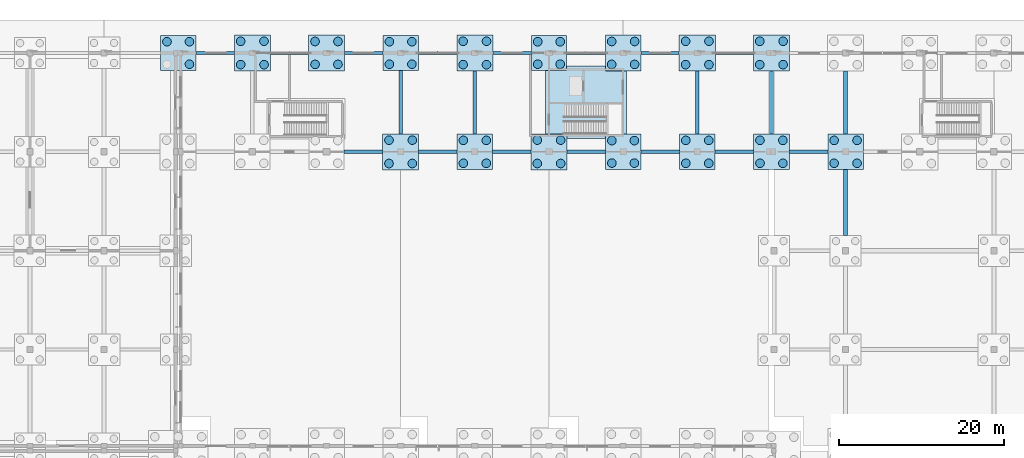
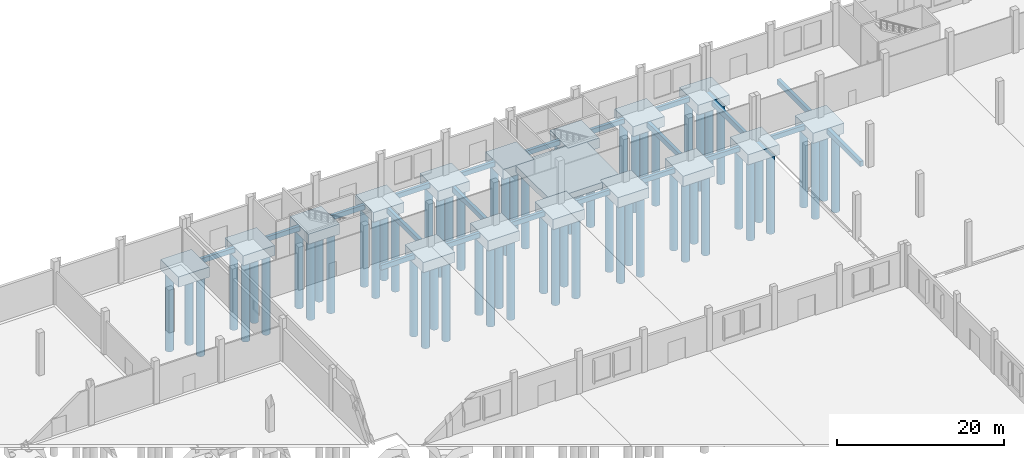
# One storey, part 22 of 99: 63 piles, 38 footings.
"""IFC4 building model written with IfcOpenShell, lengths in metres."""

from ifc_helpers import new_model, si_unit, direction, frame, origin, origin_2d, place, context, subcontext, project, spatial, polyline, rectangle, circle, outline, extrude, material, layer, layer_set, material_profile, profile_set, type_object, element, save


model = new_model("IFC4")

# Units and contexts
model_context = context("Model", 3, precision=1e-05, world=origin(), true_north=direction((0.0, 1.0)))
body_context = subcontext(model_context, "Body", "Model", "MODEL_VIEW")
ifc_project = project(units=[si_unit("LENGTHUNIT", "METRE"), si_unit("AREAUNIT", "SQUARE_METRE"), si_unit("VOLUMEUNIT", "CUBIC_METRE"), si_unit("PLANEANGLEUNIT", "RADIAN"), si_unit("MASSUNIT", "GRAM", prefix="KILO")], contexts=[model_context])

# Site, building, storey
site_placement = place(None, origin())
site = spatial("IfcSite", under=ifc_project, at=site_placement, CompositionType="ELEMENT")
building_placement = place(site_placement, origin())
building = spatial("IfcBuilding", under=site, at=building_placement, Name="Zacnel Wholesale Market", CompositionType="ELEMENT")
storey_placement = place(building_placement, origin())
storey = spatial("IfcBuildingStorey", under=building, at=storey_placement, Name="L01", CompositionType="ELEMENT", Elevation=0.0)

# Footings
ifc_material_1 = material(Name="Concrete C35/45", Category="concrete")
ifc_layer_1 = layer(ifc_material_1, 0.949951171875)
ifc_layer_set_1 = layer_set([ifc_layer_1], Name="Concrete C35/45")
footing_type_1 = type_object("IfcFootingType", Name="FTG-CORE-MAT-9500X8700", PredefinedType="PAD_FOOTING", material=ifc_layer_set_1)
footing_1_placement = place(storey_placement, frame((0.0, 0.0, -1.449951171875)))
element("IfcFooting", 1, at=footing_1_placement, inside=storey, type_object=footing_type_1, Name="Core C6 mat foundation", PredefinedType="PAD_FOOTING", context=body_context, shape_type="SweptSolid", body=[
    extrude(outline(polyline([(123.860107421875, 134.14111328125), (123.85986328125, 134.14111328125), (123.85986328125, 134.14111328125), (123.859619140625, 134.14111328125), (123.859619140625, 134.140869140625), (123.859619140625, 134.140869140625), (123.859375, 134.140869140625), (123.859375, 134.140869140625), (123.859375, 134.140625), (123.859130859375, 134.140625), (123.859130859375, 134.140625), (123.859130859375, 134.140380859375), (123.859130859375, 134.140380859375), (123.85888671875, 134.140380859375), (123.85888671875, 134.14013671875), (123.85888671875, 134.14013671875), (123.85888671875, 134.139892578125), (123.85888671875, 133.60009765625), (119.19091796875, 133.60009765625), (119.19091796875, 134.18994140625), (119.19091796875, 134.190185546875), (119.19091796875, 134.190185546875), (119.19091796875, 134.190185546875), (119.19091796875, 134.1904296875), (119.19091796875, 134.1904296875), (119.19091796875, 134.190673828125), (119.19091796875, 134.190673828125), (119.190673828125, 134.190673828125), (119.190673828125, 134.19091796875), (119.190673828125, 134.19091796875), (119.1904296875, 134.19091796875), (119.1904296875, 134.19091796875), (119.190185546875, 134.19091796875), (119.190185546875, 134.19091796875), (119.190185546875, 134.19091796875), (119.18994140625, 134.19091796875), (116.60009765625, 134.19091796875), (116.60009765625, 141.85888671875), (119.139892578125, 141.85888671875), (119.14013671875, 141.85888671875), (119.14013671875, 141.85888671875), (119.140380859375, 141.85888671875), (119.140380859375, 141.859130859375), (119.140380859375, 141.859130859375), (119.140625, 141.859130859375), (119.140625, 141.859130859375), (119.140625, 141.859375), (119.140869140625, 141.859375), (119.140869140625, 141.859375), (119.140869140625, 141.859619140625), (119.140869140625, 141.859619140625), (119.14111328125, 141.859619140625), (119.14111328125, 141.85986328125), (119.14111328125, 141.85986328125), (119.14111328125, 141.860107421875), (119.14111328125, 142.39990234375), (123.833984375, 142.39990234375), (123.833984375, 141.8349609375), (123.833984375, 141.8349609375), (123.833984375, 141.834716796875), (123.833984375, 141.834716796875), (123.833984375, 141.834716796875), (123.833984375, 141.83447265625), (123.834228515625, 141.83447265625), (123.834228515625, 141.83447265625), (123.834228515625, 141.834228515625), (123.83447265625, 141.834228515625), (123.83447265625, 141.834228515625), (123.83447265625, 141.833984375), (123.834716796875, 141.833984375), (123.834716796875, 141.833984375), (123.834716796875, 141.833984375), (123.8349609375, 141.833984375), (123.8349609375, 141.833984375), (126.39990234375, 141.833984375), (126.39990234375, 134.14111328125), (123.860107421875, 134.14111328125)])), origin(), (0.0, 0.0, 1.0), 0.949951171875),
])
ifc_material_2 = material(Name="Concrete C35/45", Category="concrete")
ifc_material_profile_1 = material_profile(ifc_material_2, rectangle(XDim=0.39990234375, YDim=0.699951171875, at=origin_2d()), Name="CT 400x700")
ifc_profile_set_1 = profile_set([ifc_material_profile_1], Name="Concrete C35/45")
footing_type_2 = type_object("IfcFootingType", Name="FTG-CT400X700", PredefinedType="FOOTING_BEAM", material=ifc_profile_set_1)
footing_2_placement = place(storey_placement, frame((92.139892578125, 132.0, -0.85009765625), z_axis=(1.0, 0.0, 0.0), x_axis=(0.0, 1.0, 0.0)))
element("IfcFooting", 2, at=footing_2_placement, inside=storey, type_object=footing_type_2, Name="Ground tie beam CT-X-0482", PredefinedType="FOOTING_BEAM", context=body_context, shape_type="SweptSolid", body=[
    extrude(rectangle(XDim=0.39990234375, YDim=0.699951171875, at=origin_2d()), origin(), (0.0, 0.0, 1.0), 4.670166015625),
])
for number, where, z_axis, x_axis, name in (
    (3, (101.18994140625, 132.0, -0.85009765625), (1.0, 0.0, 0.0), (0.0, 1.0, 0.0), "Ground tie beam CT-X-0483"),
    (4, (110.1650390625, 132.0, -0.85009765625), (1.0, 0.0, 0.0), (0.0, 1.0, 0.0), "Ground tie beam CT-X-0484"),
):
    element("IfcFooting", number, at=place(storey_placement, frame(where, z_axis=z_axis, x_axis=x_axis)), inside=storey, type_object=footing_type_2, Name=name, PredefinedType="FOOTING_BEAM", context=body_context, shape_type="SweptSolid", body=[
        extrude(rectangle(XDim=0.39990234375, YDim=0.699951171875, at=origin_2d()), origin(), (0.0, 0.0, 1.0), 4.64501953125),
    ])
footing_3_placement = place(storey_placement, frame((119.18994140625, 132.0, -0.85009765625), z_axis=(1.0, 0.0, 0.0), x_axis=(0.0, 1.0, 0.0)))
element("IfcFooting", 5, at=footing_3_placement, inside=storey, type_object=footing_type_2, Name="Ground tie beam CT-X-0485", PredefinedType="FOOTING_BEAM", context=body_context, shape_type="SweptSolid", body=[
    extrude(rectangle(XDim=0.39990234375, YDim=0.699951171875, at=origin_2d()), origin(), (0.0, 0.0, 1.0), 4.670166015625),
])
footing_4_placement = place(storey_placement, frame((128.139892578125, 132.0, -0.85009765625), z_axis=(1.0, 0.0, 0.0), x_axis=(0.0, 1.0, 0.0)))
element("IfcFooting", 6, at=footing_4_placement, inside=storey, type_object=footing_type_2, Name="Ground tie beam CT-X-0486", PredefinedType="FOOTING_BEAM", context=body_context, shape_type="SweptSolid", body=[
    extrude(rectangle(XDim=0.39990234375, YDim=0.699951171875, at=origin_2d()), origin(), (0.0, 0.0, 1.0), 4.695068359375),
])
for number, where, z_axis, x_axis, name in (
    (7, (137.1650390625, 132.0, -0.85009765625), (1.0, 0.0, 0.0), (0.0, 1.0, 0.0), "Ground tie beam CT-X-0487"),
    (8, (146.1650390625, 132.0, -0.85009765625), (1.0, 0.0, 0.0), (0.0, 1.0, 0.0), "Ground tie beam CT-X-0488"),
):
    element("IfcFooting", number, at=place(storey_placement, frame(where, z_axis=z_axis, x_axis=x_axis)), inside=storey, type_object=footing_type_2, Name=name, PredefinedType="FOOTING_BEAM", context=body_context, shape_type="SweptSolid", body=[
        extrude(rectangle(XDim=0.39990234375, YDim=0.699951171875, at=origin_2d()), origin(), (0.0, 0.0, 1.0), 4.669921875),
    ])
footing_5_placement = place(storey_placement, frame((74.139892578125, 144.0, -0.85009765625), z_axis=(1.0, 0.0, 0.0), x_axis=(0.0, 1.0, 0.0)))
element("IfcFooting", 9, at=footing_5_placement, inside=storey, type_object=footing_type_2, Name="Ground tie beam CT-X-0501", PredefinedType="FOOTING_BEAM", context=body_context, shape_type="SweptSolid", body=[
    extrude(rectangle(XDim=0.39990234375, YDim=0.699951171875, at=origin_2d()), origin(), (0.0, 0.0, 1.0), 4.670166015625),
])
footing_6_placement = place(storey_placement, frame((83.18994140625, 144.0, -0.85009765625), z_axis=(1.0, 0.0, 0.0), x_axis=(0.0, 1.0, 0.0)))
element("IfcFooting", 10, at=footing_6_placement, inside=storey, type_object=footing_type_2, Name="Ground tie beam CT-X-0502", PredefinedType="FOOTING_BEAM", context=body_context, shape_type="SweptSolid", body=[
    extrude(rectangle(XDim=0.39990234375, YDim=0.699951171875, at=origin_2d()), origin(), (0.0, 0.0, 1.0), 4.64501953125),
])
footing_7_placement = place(storey_placement, frame((92.1650390625, 144.0, -0.85009765625), z_axis=(1.0, 0.0, 0.0), x_axis=(0.0, 1.0, 0.0)))
element("IfcFooting", 11, at=footing_7_placement, inside=storey, type_object=footing_type_2, Name="Ground tie beam CT-X-0503", PredefinedType="FOOTING_BEAM", context=body_context, shape_type="SweptSolid", body=[
    extrude(rectangle(XDim=0.39990234375, YDim=0.699951171875, at=origin_2d()), origin(), (0.0, 0.0, 1.0), 4.695068359375),
])
for number, where, z_axis, x_axis, name in (
    (12, (101.139892578125, 144.0, -0.85009765625), (1.0, 0.0, 0.0), (0.0, 1.0, 0.0), "Ground tie beam CT-X-0504"),
    (13, (110.18994140625, 144.0, -0.85009765625), (1.0, 0.0, 0.0), (0.0, 1.0, 0.0), "Ground tie beam CT-X-0505"),
):
    element("IfcFooting", number, at=place(storey_placement, frame(where, z_axis=z_axis, x_axis=x_axis)), inside=storey, type_object=footing_type_2, Name=name, PredefinedType="FOOTING_BEAM", context=body_context, shape_type="SweptSolid", body=[
        extrude(rectangle(XDim=0.39990234375, YDim=0.699951171875, at=origin_2d()), origin(), (0.0, 0.0, 1.0), 4.670166015625),
    ])
footing_8_placement = place(storey_placement, frame((119.139892578125, 144.0, -0.85009765625), z_axis=(1.0, 0.0, 0.0), x_axis=(0.0, 1.0, 0.0)))
element("IfcFooting", 14, at=footing_8_placement, inside=storey, type_object=footing_type_2, Name="Ground tie beam CT-X-0506", PredefinedType="FOOTING_BEAM", context=body_context, shape_type="SweptSolid", body=[
    extrude(rectangle(XDim=0.39990234375, YDim=0.699951171875, at=origin_2d()), origin(), (0.0, 0.0, 1.0), 4.695068359375),
])
footing_9_placement = place(storey_placement, frame((128.1650390625, 144.0, -0.85009765625), z_axis=(1.0, 0.0, 0.0), x_axis=(0.0, 1.0, 0.0)))
element("IfcFooting", 15, at=footing_9_placement, inside=storey, type_object=footing_type_2, Name="Ground tie beam CT-X-0507", PredefinedType="FOOTING_BEAM", context=body_context, shape_type="SweptSolid", body=[
    extrude(rectangle(XDim=0.39990234375, YDim=0.699951171875, at=origin_2d()), origin(), (0.0, 0.0, 1.0), 4.64501953125),
])
footing_10_placement = place(storey_placement, frame((137.18994140625, 144.0, -0.85009765625), z_axis=(1.0, 0.0, 0.0), x_axis=(0.0, 1.0, 0.0)))
element("IfcFooting", 16, at=footing_10_placement, inside=storey, type_object=footing_type_2, Name="Ground tie beam CT-X-0508", PredefinedType="FOOTING_BEAM", context=body_context, shape_type="SweptSolid", body=[
    extrude(rectangle(XDim=0.39990234375, YDim=0.699951171875, at=origin_2d()), origin(), (0.0, 0.0, 1.0), 4.6201171875),
])
ifc_material_3 = material(Name="Concrete C35/45", Category="concrete")
ifc_material_profile_2 = material_profile(ifc_material_3, rectangle(XDim=0.449951171875, YDim=0.75, at=origin_2d()), Name="CT 450x750")
ifc_profile_set_2 = profile_set([ifc_material_profile_2], Name="Concrete C35/45")
footing_type_3 = type_object("IfcFootingType", Name="FTG-CT450X750", PredefinedType="FOOTING_BEAM", material=ifc_profile_set_2)
footing_11_placement = place(storey_placement, frame((99.0, 134.18994140625, -0.875), z_axis=(0.0, 1.0, 0.0), x_axis=(-1.0, 0.0, 0.0)))
element("IfcFooting", 17, at=footing_11_placement, inside=storey, type_object=footing_type_3, Name="Ground tie beam CT-Y-0121", PredefinedType="FOOTING_BEAM", context=body_context, shape_type="SweptSolid", body=[
    extrude(rectangle(XDim=0.449951171875, YDim=0.75, at=origin_2d()), origin(), (0.0, 0.0, 1.0), 7.670166015625),
])
for number, where, z_axis, x_axis, name in (
    (18, (108.0, 134.1650390625, -0.875), (0.0, 1.0, 0.0), (-1.0, 0.0, 0.0), "Ground tie beam CT-Y-0125"),
    (19, (135.0, 134.1650390625, -0.875), (0.0, 1.0, 0.0), (-1.0, 0.0, 0.0), "Ground tie beam CT-Y-0142"),
    (20, (144.0, 134.1650390625, -0.875), (0.0, 1.0, 0.0), (-1.0, 0.0, 0.0), "Ground tie beam CT-Y-0145"),
):
    element("IfcFooting", number, at=place(storey_placement, frame(where, z_axis=z_axis, x_axis=x_axis)), inside=storey, type_object=footing_type_3, Name=name, PredefinedType="FOOTING_BEAM", context=body_context, shape_type="SweptSolid", body=[
        extrude(rectangle(XDim=0.449951171875, YDim=0.75, at=origin_2d()), origin(), (0.0, 0.0, 1.0), 7.64501953125),
    ])
footing_12_placement = place(storey_placement, frame((153.0, 121.8701171875, -0.875), z_axis=(0.0, 1.0, 0.0), x_axis=(-1.0, 0.0, 0.0)))
element("IfcFooting", 21, at=footing_12_placement, inside=storey, type_object=footing_type_3, Name="Ground tie beam CT-Y-0162", PredefinedType="FOOTING_BEAM", context=body_context, shape_type="SweptSolid", body=[
    extrude(rectangle(XDim=0.449951171875, YDim=0.75, at=origin_2d()), origin(), (0.0, 0.0, 1.0), 7.96484375),
])
footing_13_placement = place(storey_placement, frame((153.0, 134.1650390625, -0.875), z_axis=(0.0, 1.0, 0.0), x_axis=(-1.0, 0.0, 0.0)))
element("IfcFooting", 22, at=footing_13_placement, inside=storey, type_object=footing_type_3, Name="Ground tie beam CT-Y-0163", PredefinedType="FOOTING_BEAM", context=body_context, shape_type="SweptSolid", body=[
    extrude(rectangle(XDim=0.449951171875, YDim=0.75, at=origin_2d()), origin(), (0.0, 0.0, 1.0), 7.64501953125),
])
ifc_material_4 = material(Name="Concrete C35/45", Category="concrete")
ifc_layer_2 = layer(ifc_material_4, 1.449951171875)
ifc_layer_set_2 = layer_set([ifc_layer_2], Name="Concrete C35/45")
footing_type_4 = type_object("IfcFootingType", Name="FTG-PC-4280X4280X1450", PredefinedType="PILE_CAP", material=ifc_layer_set_2)
for number, where, z_axis, x_axis, name in (
    (23, (99.0, 144.0, -1.9501953125), (0.0, 0.0, 1.0), (1.0, 0.0, 0.0), "Pile cap PC-16 (STR-PC-159)"),
    (24, (117.0, 144.0, -1.9501953125), (0.0, 0.0, 1.0), (1.0, 0.0, 0.0), "Pile cap PC-16 (STR-PC-177)"),
):
    element("IfcFooting", number, at=place(storey_placement, frame(where, z_axis=z_axis, x_axis=x_axis)), inside=storey, type_object=footing_type_4, Name=name, PredefinedType="PILE_CAP", context=body_context, shape_type="SweptSolid", body=[
        extrude(rectangle(XDim=4.280029296875, YDim=4.280029296875, at=origin_2d()), origin(), (0.0, 0.0, 1.0), 1.449951171875),
    ])
ifc_material_5 = material(Name="Concrete C35/45", Category="concrete")
ifc_layer_3 = layer(ifc_material_5, 1.5)
ifc_layer_set_3 = layer_set([ifc_layer_3], Name="Concrete C35/45")
footing_type_5 = type_object("IfcFootingType", Name="FTG-PC-4280X4280X1500", PredefinedType="PILE_CAP", material=ifc_layer_set_3)
for number, where, z_axis, x_axis, name in (
    (25, (72.0, 144.0, -2.0), (0.0, 0.0, 1.0), (1.0, 0.0, 0.0), "Pile cap PC-15 (STR-PC-126)"),
    (26, (126.0, 132.0, -2.0), (0.0, 0.0, 1.0), (1.0, 0.0, 0.0), "Pile cap PC-15 (STR-PC-186)"),
):
    element("IfcFooting", number, at=place(storey_placement, frame(where, z_axis=z_axis, x_axis=x_axis)), inside=storey, type_object=footing_type_5, Name=name, PredefinedType="PILE_CAP", context=body_context, shape_type="SweptSolid", body=[
        extrude(rectangle(XDim=4.280029296875, YDim=4.280029296875, at=origin_2d()), origin(), (0.0, 0.0, 1.0), 1.5),
    ])
ifc_material_6 = material(Name="Concrete C35/45", Category="concrete")
ifc_layer_4 = layer(ifc_material_6, 1.449951171875)
ifc_layer_set_4 = layer_set([ifc_layer_4], Name="Concrete C35/45")
footing_type_6 = type_object("IfcFootingType", Name="FTG-PC-4330X4330X1450", PredefinedType="PILE_CAP", material=ifc_layer_set_4)
footing_14_placement = place(storey_placement, frame((126.0, 144.0, -1.9501953125), z_axis=(0.0, 0.0, 1.0), x_axis=(1.0, 0.0, 0.0)))
element("IfcFooting", 27, at=footing_14_placement, inside=storey, type_object=footing_type_6, Name="Pile cap PC-19 (STR-PC-187)", PredefinedType="PILE_CAP", context=body_context, shape_type="SweptSolid", body=[
    extrude(rectangle(XDim=4.330078125, YDim=4.330078125, at=origin_2d()), origin(), (0.0, 0.0, 1.0), 1.449951171875),
])
ifc_material_7 = material(Name="Concrete C35/45", Category="concrete")
ifc_layer_5 = layer(ifc_material_7, 1.5)
ifc_layer_set_5 = layer_set([ifc_layer_5], Name="Concrete C35/45")
footing_type_7 = type_object("IfcFootingType", Name="FTG-PC-4330X4330X1500", PredefinedType="PILE_CAP", material=ifc_layer_set_5)
for number, where, z_axis, x_axis, name in (
    (28, (90.0, 144.0, -2.0), (0.0, 0.0, 1.0), (1.0, 0.0, 0.0), "Pile cap PC-17 (STR-PC-148)"),
    (29, (108.0, 132.0, -2.0), (0.0, 0.0, 1.0), (1.0, 0.0, 0.0), "Pile cap PC-17 (STR-PC-166)"),
    (30, (135.0, 132.0, -2.0), (0.0, 0.0, 1.0), (1.0, 0.0, 0.0), "Pile cap PC-17 (STR-PC-196)"),
    (31, (144.0, 132.0, -2.0), (0.0, 0.0, 1.0), (1.0, 0.0, 0.0), "Pile cap PC-17 (STR-PC-202)"),
    (32, (153.0, 132.0, -2.0), (0.0, 0.0, 1.0), (1.0, 0.0, 0.0), "Pile cap PC-17 (STR-PC-220)"),
):
    element("IfcFooting", number, at=place(storey_placement, frame(where, z_axis=z_axis, x_axis=x_axis)), inside=storey, type_object=footing_type_7, Name=name, PredefinedType="PILE_CAP", context=body_context, shape_type="SweptSolid", body=[
        extrude(rectangle(XDim=4.330078125, YDim=4.330078125, at=origin_2d()), origin(), (0.0, 0.0, 1.0), 1.5),
    ])
ifc_material_8 = material(Name="Concrete C35/45", Category="concrete")
ifc_layer_6 = layer(ifc_material_8, 1.449951171875)
ifc_layer_set_6 = layer_set([ifc_layer_6], Name="Concrete C35/45")
footing_type_8 = type_object("IfcFootingType", Name="FTG-PC-4380X4380X1450", PredefinedType="PILE_CAP", material=ifc_layer_set_6)
for number, where, z_axis, x_axis, name in (
    (33, (81.0, 144.0, -1.9501953125), (0.0, 0.0, 1.0), (1.0, 0.0, 0.0), "Pile cap PC-14 (STR-PC-137)"),
    (34, (108.0, 144.0, -1.9501953125), (0.0, 0.0, 1.0), (1.0, 0.0, 0.0), "Pile cap PC-14 (STR-PC-167)"),
    (35, (135.0, 144.0, -1.9501953125), (0.0, 0.0, 1.0), (1.0, 0.0, 0.0), "Pile cap PC-14 (STR-PC-197)"),
    (36, (144.0, 144.0, -1.9501953125), (0.0, 0.0, 1.0), (1.0, 0.0, 0.0), "Pile cap PC-14 (STR-PC-203)"),
):
    element("IfcFooting", number, at=place(storey_placement, frame(where, z_axis=z_axis, x_axis=x_axis)), inside=storey, type_object=footing_type_8, Name=name, PredefinedType="PILE_CAP", context=body_context, shape_type="SweptSolid", body=[
        extrude(rectangle(XDim=4.3798828125, YDim=4.3798828125, at=origin_2d()), origin(), (0.0, 0.0, 1.0), 1.449951171875),
    ])
ifc_material_9 = material(Name="Concrete C35/45", Category="concrete")
ifc_layer_7 = layer(ifc_material_9, 1.5)
ifc_layer_set_7 = layer_set([ifc_layer_7], Name="Concrete C35/45")
footing_type_9 = type_object("IfcFootingType", Name="FTG-PC-4380X4380X1500", PredefinedType="PILE_CAP", material=ifc_layer_set_7)
for number, where, z_axis, x_axis, name in (
    (37, (99.0, 132.0, -2.0), (0.0, 0.0, 1.0), (1.0, 0.0, 0.0), "Pile cap PC-18 (STR-PC-158)"),
    (38, (117.0, 132.0, -2.0), (0.0, 0.0, 1.0), (1.0, 0.0, 0.0), "Pile cap PC-18 (STR-PC-176)"),
):
    element("IfcFooting", number, at=place(storey_placement, frame(where, z_axis=z_axis, x_axis=x_axis)), inside=storey, type_object=footing_type_9, Name=name, PredefinedType="PILE_CAP", context=body_context, shape_type="SweptSolid", body=[
        extrude(rectangle(XDim=4.3798828125, YDim=4.3798828125, at=origin_2d()), origin(), (0.0, 0.0, 1.0), 1.5),
    ])

# Piles
ifc_material_10 = material(Name="Concrete C35/45", Category="concrete")
ifc_material_profile_3 = material_profile(ifc_material_10, circle(Radius=0.52490234375, at=origin_2d()), Name="BORED PILE D1050")
ifc_profile_set_3 = profile_set([ifc_material_profile_3], Name="Concrete C35/45")
pile_type = type_object("IfcPileType", Name="PILE-BORED-1050", PredefinedType="BORED", material=ifc_profile_set_3)
for number, where, z_axis, x_axis, name in (
    (39, (70.635009765625, 145.364990234375, -1.89990234375), (0.0, 0.0, -1.0), (1.0, 0.0, 0.0), "Bored pile STR-PILE-126-02"),
    (40, (73.364990234375, 142.635009765625, -1.89990234375), (0.0, 0.0, -1.0), (1.0, 0.0, 0.0), "Bored pile STR-PILE-126-03"),
    (41, (73.364990234375, 145.364990234375, -1.89990234375), (0.0, 0.0, -1.0), (1.0, 0.0, 0.0), "Bored pile STR-PILE-126-04"),
):
    element("IfcPile", number, at=place(storey_placement, frame(where, z_axis=z_axis, x_axis=x_axis)), inside=storey, type_object=pile_type, Name=name, PredefinedType="BORED", context=body_context, shape_type="SweptSolid", body=[
        extrude(circle(Radius=0.52490234375, at=origin_2d()), origin(), (0.0, 0.0, 1.0), 11.60009765625),
    ])
for number, where, z_axis, x_axis, name in (
    (42, (79.58251953125, 142.58251953125, -1.85009765625), (0.0, 0.0, -1.0), (1.0, 0.0, 0.0), "Bored pile STR-PILE-137-01"),
    (43, (79.58251953125, 145.41748046875, -1.85009765625), (0.0, 0.0, -1.0), (1.0, 0.0, 0.0), "Bored pile STR-PILE-137-02"),
    (44, (82.41748046875, 142.58251953125, -1.85009765625), (0.0, 0.0, -1.0), (1.0, 0.0, 0.0), "Bored pile STR-PILE-137-03"),
    (45, (82.41748046875, 145.41748046875, -1.85009765625), (0.0, 0.0, -1.0), (1.0, 0.0, 0.0), "Bored pile STR-PILE-137-04"),
):
    element("IfcPile", number, at=place(storey_placement, frame(where, z_axis=z_axis, x_axis=x_axis)), inside=storey, type_object=pile_type, Name=name, PredefinedType="BORED", context=body_context, shape_type="SweptSolid", body=[
        extrude(circle(Radius=0.52490234375, at=origin_2d()), origin(), (0.0, 0.0, 1.0), 11.64990234375),
    ])
for number, where, z_axis, x_axis, name in (
    (46, (88.6083984375, 142.6083984375, -1.89990234375), (0.0, 0.0, -1.0), (1.0, 0.0, 0.0), "Bored pile STR-PILE-148-01"),
    (47, (88.6083984375, 145.3916015625, -1.89990234375), (0.0, 0.0, -1.0), (1.0, 0.0, 0.0), "Bored pile STR-PILE-148-02"),
    (48, (91.3916015625, 142.6083984375, -1.89990234375), (0.0, 0.0, -1.0), (1.0, 0.0, 0.0), "Bored pile STR-PILE-148-03"),
    (49, (91.3916015625, 145.3916015625, -1.89990234375), (0.0, 0.0, -1.0), (1.0, 0.0, 0.0), "Bored pile STR-PILE-148-04"),
    (50, (97.58251953125, 130.58251953125, -1.89990234375), (0.0, 0.0, -1.0), (1.0, 0.0, 0.0), "Bored pile STR-PILE-158-01"),
    (51, (97.58251953125, 133.41748046875, -1.89990234375), (0.0, 0.0, -1.0), (1.0, 0.0, 0.0), "Bored pile STR-PILE-158-02"),
    (52, (100.41748046875, 130.58251953125, -1.89990234375), (0.0, 0.0, -1.0), (1.0, 0.0, 0.0), "Bored pile STR-PILE-158-03"),
    (53, (100.41748046875, 133.41748046875, -1.89990234375), (0.0, 0.0, -1.0), (1.0, 0.0, 0.0), "Bored pile STR-PILE-158-04"),
):
    element("IfcPile", number, at=place(storey_placement, frame(where, z_axis=z_axis, x_axis=x_axis)), inside=storey, type_object=pile_type, Name=name, PredefinedType="BORED", context=body_context, shape_type="SweptSolid", body=[
        extrude(circle(Radius=0.52490234375, at=origin_2d()), origin(), (0.0, 0.0, 1.0), 11.60009765625),
    ])
for number, where, z_axis, x_axis, name in (
    (54, (97.635009765625, 142.635009765625, -1.85009765625), (0.0, 0.0, -1.0), (1.0, 0.0, 0.0), "Bored pile STR-PILE-159-01"),
    (55, (97.635009765625, 145.364990234375, -1.85009765625), (0.0, 0.0, -1.0), (1.0, 0.0, 0.0), "Bored pile STR-PILE-159-02"),
    (56, (100.364990234375, 142.635009765625, -1.85009765625), (0.0, 0.0, -1.0), (1.0, 0.0, 0.0), "Bored pile STR-PILE-159-03"),
    (57, (100.364990234375, 145.364990234375, -1.85009765625), (0.0, 0.0, -1.0), (1.0, 0.0, 0.0), "Bored pile STR-PILE-159-04"),
):
    element("IfcPile", number, at=place(storey_placement, frame(where, z_axis=z_axis, x_axis=x_axis)), inside=storey, type_object=pile_type, Name=name, PredefinedType="BORED", context=body_context, shape_type="SweptSolid", body=[
        extrude(circle(Radius=0.52490234375, at=origin_2d()), origin(), (0.0, 0.0, 1.0), 11.64990234375),
    ])
for number, where, z_axis, x_axis, name in (
    (58, (106.6083984375, 130.6083984375, -1.89990234375), (0.0, 0.0, -1.0), (1.0, 0.0, 0.0), "Bored pile STR-PILE-166-01"),
    (59, (106.6083984375, 133.3916015625, -1.89990234375), (0.0, 0.0, -1.0), (1.0, 0.0, 0.0), "Bored pile STR-PILE-166-02"),
    (60, (109.3916015625, 130.6083984375, -1.89990234375), (0.0, 0.0, -1.0), (1.0, 0.0, 0.0), "Bored pile STR-PILE-166-03"),
    (61, (109.3916015625, 133.3916015625, -1.89990234375), (0.0, 0.0, -1.0), (1.0, 0.0, 0.0), "Bored pile STR-PILE-166-04"),
):
    element("IfcPile", number, at=place(storey_placement, frame(where, z_axis=z_axis, x_axis=x_axis)), inside=storey, type_object=pile_type, Name=name, PredefinedType="BORED", context=body_context, shape_type="SweptSolid", body=[
        extrude(circle(Radius=0.52490234375, at=origin_2d()), origin(), (0.0, 0.0, 1.0), 11.60009765625),
    ])
for number, where, z_axis, x_axis, name in (
    (62, (106.58251953125, 142.58251953125, -1.85009765625), (0.0, 0.0, -1.0), (1.0, 0.0, 0.0), "Bored pile STR-PILE-167-01"),
    (63, (106.58251953125, 145.41748046875, -1.85009765625), (0.0, 0.0, -1.0), (1.0, 0.0, 0.0), "Bored pile STR-PILE-167-02"),
    (64, (109.41748046875, 142.58251953125, -1.85009765625), (0.0, 0.0, -1.0), (1.0, 0.0, 0.0), "Bored pile STR-PILE-167-03"),
    (65, (109.41748046875, 145.41748046875, -1.85009765625), (0.0, 0.0, -1.0), (1.0, 0.0, 0.0), "Bored pile STR-PILE-167-04"),
):
    element("IfcPile", number, at=place(storey_placement, frame(where, z_axis=z_axis, x_axis=x_axis)), inside=storey, type_object=pile_type, Name=name, PredefinedType="BORED", context=body_context, shape_type="SweptSolid", body=[
        extrude(circle(Radius=0.52490234375, at=origin_2d()), origin(), (0.0, 0.0, 1.0), 11.64990234375),
    ])
for number, where, z_axis, x_axis, name in (
    (66, (115.58251953125, 130.58251953125, -1.89990234375), (0.0, 0.0, -1.0), (1.0, 0.0, 0.0), "Bored pile STR-PILE-176-01"),
    (67, (115.58251953125, 133.41748046875, -1.89990234375), (0.0, 0.0, -1.0), (1.0, 0.0, 0.0), "Bored pile STR-PILE-176-02"),
    (68, (118.41748046875, 130.58251953125, -1.89990234375), (0.0, 0.0, -1.0), (1.0, 0.0, 0.0), "Bored pile STR-PILE-176-03"),
    (69, (118.41748046875, 133.41748046875, -1.89990234375), (0.0, 0.0, -1.0), (1.0, 0.0, 0.0), "Bored pile STR-PILE-176-04"),
):
    element("IfcPile", number, at=place(storey_placement, frame(where, z_axis=z_axis, x_axis=x_axis)), inside=storey, type_object=pile_type, Name=name, PredefinedType="BORED", context=body_context, shape_type="SweptSolid", body=[
        extrude(circle(Radius=0.52490234375, at=origin_2d()), origin(), (0.0, 0.0, 1.0), 11.60009765625),
    ])
for number, where, z_axis, x_axis, name in (
    (70, (115.635009765625, 142.635009765625, -1.85009765625), (0.0, 0.0, -1.0), (1.0, 0.0, 0.0), "Bored pile STR-PILE-177-01"),
    (71, (115.635009765625, 145.364990234375, -1.85009765625), (0.0, 0.0, -1.0), (1.0, 0.0, 0.0), "Bored pile STR-PILE-177-02"),
    (72, (118.364990234375, 142.635009765625, -1.85009765625), (0.0, 0.0, -1.0), (1.0, 0.0, 0.0), "Bored pile STR-PILE-177-03"),
    (73, (118.364990234375, 145.364990234375, -1.85009765625), (0.0, 0.0, -1.0), (1.0, 0.0, 0.0), "Bored pile STR-PILE-177-04"),
):
    element("IfcPile", number, at=place(storey_placement, frame(where, z_axis=z_axis, x_axis=x_axis)), inside=storey, type_object=pile_type, Name=name, PredefinedType="BORED", context=body_context, shape_type="SweptSolid", body=[
        extrude(circle(Radius=0.52490234375, at=origin_2d()), origin(), (0.0, 0.0, 1.0), 11.64990234375),
    ])
for number, where, z_axis, x_axis, name in (
    (74, (124.635009765625, 130.635009765625, -1.89990234375), (0.0, 0.0, -1.0), (1.0, 0.0, 0.0), "Bored pile STR-PILE-186-01"),
    (75, (124.635009765625, 133.364990234375, -1.89990234375), (0.0, 0.0, -1.0), (1.0, 0.0, 0.0), "Bored pile STR-PILE-186-02"),
    (76, (127.364990234375, 130.635009765625, -1.89990234375), (0.0, 0.0, -1.0), (1.0, 0.0, 0.0), "Bored pile STR-PILE-186-03"),
    (77, (127.364990234375, 133.364990234375, -1.89990234375), (0.0, 0.0, -1.0), (1.0, 0.0, 0.0), "Bored pile STR-PILE-186-04"),
):
    element("IfcPile", number, at=place(storey_placement, frame(where, z_axis=z_axis, x_axis=x_axis)), inside=storey, type_object=pile_type, Name=name, PredefinedType="BORED", context=body_context, shape_type="SweptSolid", body=[
        extrude(circle(Radius=0.52490234375, at=origin_2d()), origin(), (0.0, 0.0, 1.0), 11.60009765625),
    ])
for number, where, z_axis, x_axis, name in (
    (78, (124.6083984375, 142.6083984375, -1.85009765625), (0.0, 0.0, -1.0), (1.0, 0.0, 0.0), "Bored pile STR-PILE-187-01"),
    (79, (124.6083984375, 145.3916015625, -1.85009765625), (0.0, 0.0, -1.0), (1.0, 0.0, 0.0), "Bored pile STR-PILE-187-02"),
    (80, (127.3916015625, 142.6083984375, -1.85009765625), (0.0, 0.0, -1.0), (1.0, 0.0, 0.0), "Bored pile STR-PILE-187-03"),
    (81, (127.3916015625, 145.3916015625, -1.85009765625), (0.0, 0.0, -1.0), (1.0, 0.0, 0.0), "Bored pile STR-PILE-187-04"),
):
    element("IfcPile", number, at=place(storey_placement, frame(where, z_axis=z_axis, x_axis=x_axis)), inside=storey, type_object=pile_type, Name=name, PredefinedType="BORED", context=body_context, shape_type="SweptSolid", body=[
        extrude(circle(Radius=0.52490234375, at=origin_2d()), origin(), (0.0, 0.0, 1.0), 11.64990234375),
    ])
for number, where, z_axis, x_axis, name in (
    (82, (133.6083984375, 130.6083984375, -1.89990234375), (0.0, 0.0, -1.0), (1.0, 0.0, 0.0), "Bored pile STR-PILE-196-01"),
    (83, (133.6083984375, 133.3916015625, -1.89990234375), (0.0, 0.0, -1.0), (1.0, 0.0, 0.0), "Bored pile STR-PILE-196-02"),
    (84, (136.3916015625, 130.6083984375, -1.89990234375), (0.0, 0.0, -1.0), (1.0, 0.0, 0.0), "Bored pile STR-PILE-196-03"),
    (85, (136.3916015625, 133.3916015625, -1.89990234375), (0.0, 0.0, -1.0), (1.0, 0.0, 0.0), "Bored pile STR-PILE-196-04"),
):
    element("IfcPile", number, at=place(storey_placement, frame(where, z_axis=z_axis, x_axis=x_axis)), inside=storey, type_object=pile_type, Name=name, PredefinedType="BORED", context=body_context, shape_type="SweptSolid", body=[
        extrude(circle(Radius=0.52490234375, at=origin_2d()), origin(), (0.0, 0.0, 1.0), 11.60009765625),
    ])
for number, where, z_axis, x_axis, name in (
    (86, (133.58251953125, 142.58251953125, -1.85009765625), (0.0, 0.0, -1.0), (1.0, 0.0, 0.0), "Bored pile STR-PILE-197-01"),
    (87, (133.58251953125, 145.41748046875, -1.85009765625), (0.0, 0.0, -1.0), (1.0, 0.0, 0.0), "Bored pile STR-PILE-197-02"),
    (88, (136.41748046875, 142.58251953125, -1.85009765625), (0.0, 0.0, -1.0), (1.0, 0.0, 0.0), "Bored pile STR-PILE-197-03"),
    (89, (136.41748046875, 145.41748046875, -1.85009765625), (0.0, 0.0, -1.0), (1.0, 0.0, 0.0), "Bored pile STR-PILE-197-04"),
):
    element("IfcPile", number, at=place(storey_placement, frame(where, z_axis=z_axis, x_axis=x_axis)), inside=storey, type_object=pile_type, Name=name, PredefinedType="BORED", context=body_context, shape_type="SweptSolid", body=[
        extrude(circle(Radius=0.52490234375, at=origin_2d()), origin(), (0.0, 0.0, 1.0), 11.64990234375),
    ])
for number, where, z_axis, x_axis, name in (
    (90, (142.6083984375, 130.6083984375, -1.89990234375), (0.0, 0.0, -1.0), (1.0, 0.0, 0.0), "Bored pile STR-PILE-202-01"),
    (91, (142.6083984375, 133.3916015625, -1.89990234375), (0.0, 0.0, -1.0), (1.0, 0.0, 0.0), "Bored pile STR-PILE-202-02"),
    (92, (145.3916015625, 130.6083984375, -1.89990234375), (0.0, 0.0, -1.0), (1.0, 0.0, 0.0), "Bored pile STR-PILE-202-03"),
    (93, (145.3916015625, 133.3916015625, -1.89990234375), (0.0, 0.0, -1.0), (1.0, 0.0, 0.0), "Bored pile STR-PILE-202-04"),
):
    element("IfcPile", number, at=place(storey_placement, frame(where, z_axis=z_axis, x_axis=x_axis)), inside=storey, type_object=pile_type, Name=name, PredefinedType="BORED", context=body_context, shape_type="SweptSolid", body=[
        extrude(circle(Radius=0.52490234375, at=origin_2d()), origin(), (0.0, 0.0, 1.0), 11.60009765625),
    ])
for number, where, z_axis, x_axis, name in (
    (94, (142.58251953125, 142.58251953125, -1.85009765625), (0.0, 0.0, -1.0), (1.0, 0.0, 0.0), "Bored pile STR-PILE-203-01"),
    (95, (142.58251953125, 145.41748046875, -1.85009765625), (0.0, 0.0, -1.0), (1.0, 0.0, 0.0), "Bored pile STR-PILE-203-02"),
    (96, (145.41748046875, 142.58251953125, -1.85009765625), (0.0, 0.0, -1.0), (1.0, 0.0, 0.0), "Bored pile STR-PILE-203-03"),
    (97, (145.41748046875, 145.41748046875, -1.85009765625), (0.0, 0.0, -1.0), (1.0, 0.0, 0.0), "Bored pile STR-PILE-203-04"),
):
    element("IfcPile", number, at=place(storey_placement, frame(where, z_axis=z_axis, x_axis=x_axis)), inside=storey, type_object=pile_type, Name=name, PredefinedType="BORED", context=body_context, shape_type="SweptSolid", body=[
        extrude(circle(Radius=0.52490234375, at=origin_2d()), origin(), (0.0, 0.0, 1.0), 11.64990234375),
    ])
for number, where, z_axis, x_axis, name in (
    (98, (151.6083984375, 130.6083984375, -1.89990234375), (0.0, 0.0, -1.0), (1.0, 0.0, 0.0), "Bored pile STR-PILE-220-01"),
    (99, (151.6083984375, 133.3916015625, -1.89990234375), (0.0, 0.0, -1.0), (1.0, 0.0, 0.0), "Bored pile STR-PILE-220-02"),
    (100, (154.3916015625, 130.6083984375, -1.89990234375), (0.0, 0.0, -1.0), (1.0, 0.0, 0.0), "Bored pile STR-PILE-220-03"),
    (101, (154.3916015625, 133.3916015625, -1.89990234375), (0.0, 0.0, -1.0), (1.0, 0.0, 0.0), "Bored pile STR-PILE-220-04"),
):
    element("IfcPile", number, at=place(storey_placement, frame(where, z_axis=z_axis, x_axis=x_axis)), inside=storey, type_object=pile_type, Name=name, PredefinedType="BORED", context=body_context, shape_type="SweptSolid", body=[
        extrude(circle(Radius=0.52490234375, at=origin_2d()), origin(), (0.0, 0.0, 1.0), 11.60009765625),
    ])

save(model, "model.ifc")
